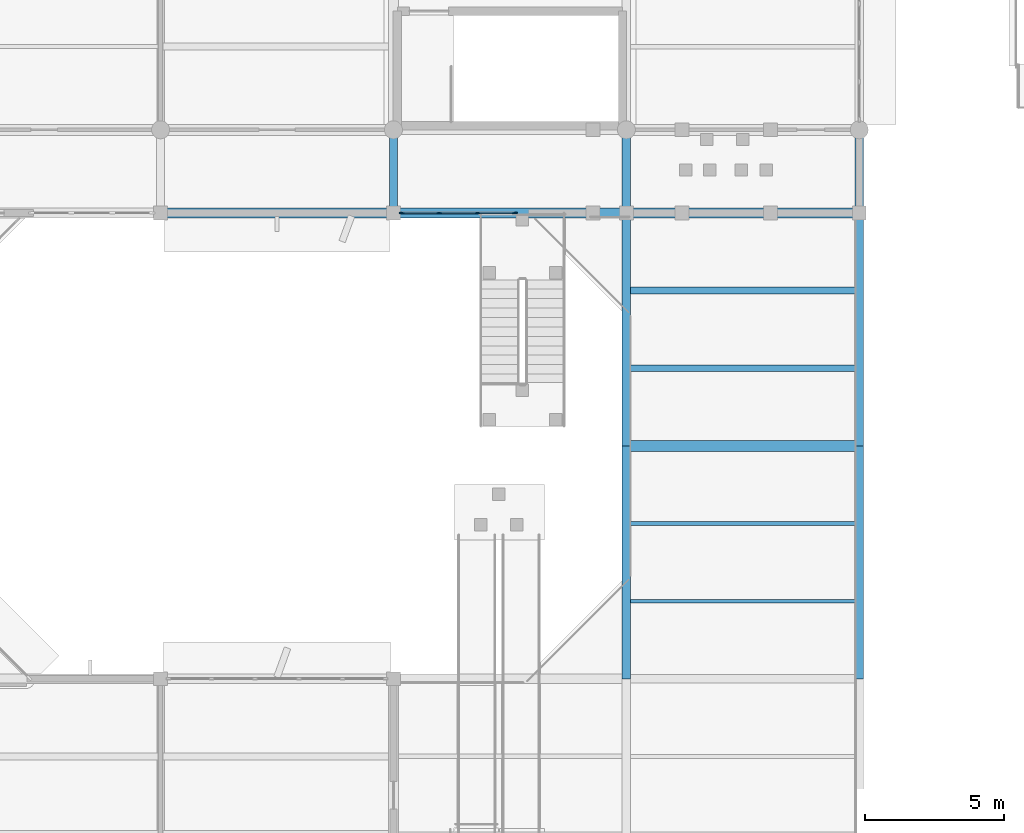
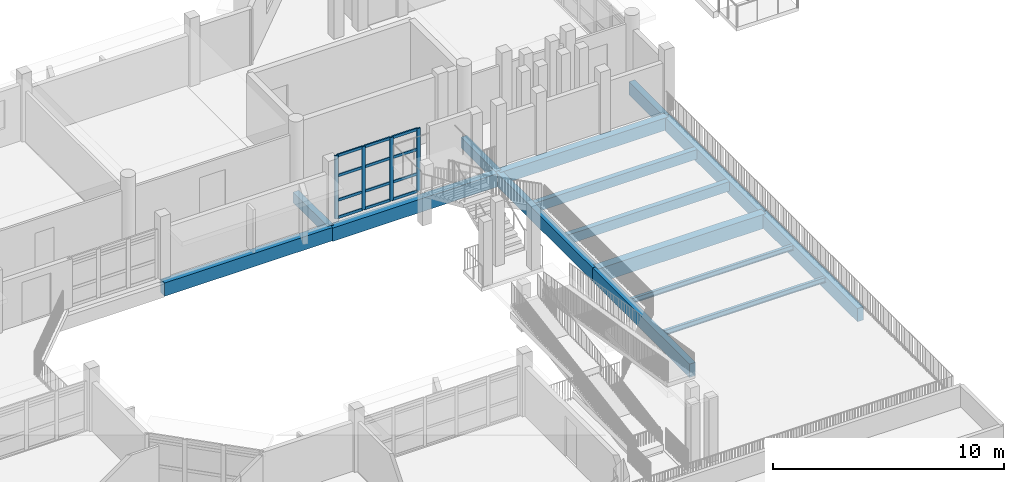
# One storey, part 20 of 92: 16 members, 15 beams, 1 element without a shape of its own.
"""IFC4 building model written with IfcOpenShell, lengths in metres."""

from ifc_helpers import new_model, si_unit, direction, frame, origin, origin_2d, place, context, subcontext, project, spatial, rectangle, i_section, extrude, material, material_profile, profile_set, type_object, element, aggregate, save


model = new_model("IFC4")

# Units and contexts
model_context = context("Model", 3, precision=1e-05, world=origin(), true_north=direction((0.0, 1.0)))
body_context = subcontext(model_context, "Body", "Model", "MODEL_VIEW")
ifc_project = project(units=[si_unit("LENGTHUNIT", "METRE"), si_unit("AREAUNIT", "SQUARE_METRE"), si_unit("VOLUMEUNIT", "CUBIC_METRE"), si_unit("PLANEANGLEUNIT", "RADIAN"), si_unit("MASSUNIT", "GRAM", prefix="KILO")], contexts=[model_context])

# Site, building, storey
site_placement = place(None, origin())
site = spatial("IfcSite", under=ifc_project, at=site_placement, CompositionType="ELEMENT")
building_placement = place(site_placement, origin())
building = spatial("IfcBuilding", under=site, at=building_placement, Name="Vanh Quang Courtyard School", CompositionType="ELEMENT")
storey_placement = place(building_placement, frame((0.0, 0.0, 7.800048828125)))
storey = spatial("IfcBuildingStorey", under=building, at=storey_placement, Name="L02", CompositionType="ELEMENT", Elevation=7.800048828125)

# Beams
ifc_material_1 = material(Name="Concrete C35/45", Category="concrete")
ifc_material_profile_1 = material_profile(ifc_material_1, rectangle(XDim=0.300048828125, YDim=0.550048828125, at=origin_2d()), Name="RC-BM 300x550")
ifc_profile_set_1 = profile_set([ifc_material_profile_1], Name="Concrete C35/45")
beam_type_1 = type_object("IfcBeamType", Name="BM-RC-300x550", PredefinedType="BEAM", material=ifc_profile_set_1)
for number, where, z_axis, x_axis, name in (
    (1, (102.60009765625, 29.39990234375, -0.554931640625), (0.0, 1.0, 0.0), (-1.0, 0.0, 0.0), "Beam B-07 (L02)"),
    (2, (111.0, 29.39990234375, -0.594970703125), (0.0, 1.0, 0.0), (-1.0, 0.0, 0.0), "Beam B-07 (L02)"),
):
    element("IfcBeam", number, at=place(storey_placement, frame(where, z_axis=z_axis, x_axis=x_axis)), inside=storey, type_object=beam_type_1, Name=name, PredefinedType="BEAM", context=body_context, shape_type="SweptSolid", body=[
        extrude(rectangle(XDim=0.300048828125, YDim=0.550048828125, at=origin_2d()), origin(), (0.0, 0.0, 1.0), 3.0),
    ])
ifc_material_profile_2 = material_profile(ifc_material_1, rectangle(XDim=0.35009765625, YDim=0.64990234375, at=origin_2d()), Name="RC-BM 350x650")
ifc_profile_set_2 = profile_set([ifc_material_profile_2], Name="Concrete C35/45")
beam_type_2 = type_object("IfcBeamType", Name="BM-RC-350x650", PredefinedType="BEAM", material=ifc_profile_set_2)
beam_1_placement = place(storey_placement, frame((111.0, 29.39990234375, -0.64501953125), z_axis=(1.0, 0.0, 0.0), x_axis=(0.0, 1.0, 0.0)))
element("IfcBeam", 3, at=beam_1_placement, inside=storey, type_object=beam_type_2, Name="Beam B-05 (L02)", PredefinedType="BEAM", context=body_context, shape_type="SweptSolid", body=[
    extrude(rectangle(XDim=0.35009765625, YDim=0.64990234375, at=origin_2d()), origin(), (0.0, 0.0, 1.0), 8.39990234375),
])
ifc_material_profile_3 = material_profile(ifc_material_1, rectangle(XDim=0.35009765625, YDim=0.699951171875, at=origin_2d()), Name="RC-BM 350x700")
ifc_profile_set_3 = profile_set([ifc_material_profile_3], Name="Concrete C35/45")
beam_type_3 = type_object("IfcBeamType", Name="BM-RC-350x700", PredefinedType="BEAM", material=ifc_profile_set_3)
beam_2_placement = place(storey_placement, frame((94.199951171875, 29.39990234375, -0.630126953125), z_axis=(1.0, 0.0, 0.0), x_axis=(0.0, 1.0, 0.0)))
element("IfcBeam", 4, at=beam_2_placement, inside=storey, type_object=beam_type_3, Name="Beam B-04 (L02)", PredefinedType="BEAM", context=body_context, shape_type="SweptSolid", body=[
    extrude(rectangle(XDim=0.35009765625, YDim=0.699951171875, at=origin_2d()), origin(), (0.0, 0.0, 1.0), 8.400146484375),
])
beam_3_placement = place(storey_placement, frame((102.60009765625, 29.39990234375, -0.670166015625), z_axis=(1.0, 0.0, 0.0), x_axis=(0.0, 1.0, 0.0)))
element("IfcBeam", 5, at=beam_3_placement, inside=storey, type_object=beam_type_3, Name="Beam B-04 (L02)", PredefinedType="BEAM", context=body_context, shape_type="SweptSolid", body=[
    extrude(rectangle(XDim=0.35009765625, YDim=0.699951171875, at=origin_2d()), origin(), (0.0, 0.0, 1.0), 8.39990234375),
])
ifc_material_profile_4 = material_profile(ifc_material_1, rectangle(XDim=0.39990234375, YDim=0.75, at=origin_2d()), Name="RC-BM 400x750")
ifc_profile_set_4 = profile_set([ifc_material_profile_4], Name="Concrete C35/45")
beam_type_4 = type_object("IfcBeamType", Name="BM-RC-400x750", PredefinedType="BEAM", material=ifc_profile_set_4)
beam_4_placement = place(storey_placement, frame((111.0, 21.0, -0.695068359375), z_axis=(1.0, 0.0, 0.0), x_axis=(0.0, 1.0, 0.0)))
element("IfcBeam", 6, at=beam_4_placement, inside=storey, type_object=beam_type_4, Name="Beam B-03 (L02)", PredefinedType="BEAM", context=body_context, shape_type="SweptSolid", body=[
    extrude(rectangle(XDim=0.39990234375, YDim=0.75, at=origin_2d()), origin(), (0.0, 0.0, 1.0), 8.39990234375),
])
ifc_material_profile_5 = material_profile(ifc_material_1, rectangle(XDim=0.300048828125, YDim=0.699951171875, at=origin_2d()), Name="RC-SP 300x700")
ifc_profile_set_5 = profile_set([ifc_material_profile_5], Name="Concrete C35/45")
beam_type_5 = type_object("IfcBeamType", Name="BM-SP-300x700", PredefinedType="SPANDREL", material=ifc_profile_set_5)
for number, where, z_axis, x_axis, name in (
    (7, (111.0, 12.60009765625, -0.670166015625), (0.0, 1.0, 0.0), (-1.0, 0.0, 0.0), "Beam BS-01 (L02)"),
    (8, (111.0, 21.0, -0.670166015625), (0.0, 1.0, 0.0), (-1.0, 0.0, 0.0), "Beam BS-01 (L02)"),
    (9, (119.39990234375, 12.60009765625, -0.670166015625), (0.0, 1.0, 0.0), (-1.0, 0.0, 0.0), "Beam BS-01 (L02)"),
    (10, (119.39990234375, 21.0, -0.670166015625), (0.0, 1.0, 0.0), (-1.0, 0.0, 0.0), "Beam BS-01 (L02)"),
):
    element("IfcBeam", number, at=place(storey_placement, frame(where, z_axis=z_axis, x_axis=x_axis)), inside=storey, type_object=beam_type_5, Name=name, PredefinedType="SPANDREL", context=body_context, shape_type="SweptSolid", body=[
        extrude(rectangle(XDim=0.300048828125, YDim=0.699951171875, at=origin_2d()), origin(), (0.0, 0.0, 1.0), 8.39990234375),
    ])
beam_5_placement = place(storey_placement, frame((119.39990234375, 29.39990234375, -0.670166015625), z_axis=(0.0, 1.0, 0.0), x_axis=(-1.0, 0.0, 0.0)))
element("IfcBeam", 11, at=beam_5_placement, inside=storey, type_object=beam_type_5, Name="Beam BS-01 (L02)", PredefinedType="SPANDREL", context=body_context, shape_type="SweptSolid", body=[
    extrude(rectangle(XDim=0.300048828125, YDim=0.699951171875, at=origin_2d()), origin(), (0.0, 0.0, 1.0), 3.0),
])

# Curtain wall, members
ifc_material_2 = material(Name="Thermally broken aluminium unitised curtain wall", Category="aluminium")
curtain_wall_type = type_object("IfcCurtainWallType", Name="CW-SYS-14", PredefinedType="NOTDEFINED", material=ifc_material_2)
curtain_wall_placement = place(storey_placement, origin())
curtain_wall = element("IfcCurtainWall", 12, at=curtain_wall_placement, inside=storey, type_object=curtain_wall_type, Name="Curtain Wall CW-14 (L02)", PredefinedType="NOTDEFINED")
ifc_material_3 = material(Name="Anodised aluminium 6063-T6", Category="aluminium")
ifc_material_profile_6 = material_profile(ifc_material_3, rectangle(XDim=0.070068359375, YDim=0.179931640625, at=origin_2d()), Name="ALU-MUL 70x180")
ifc_profile_set_6 = profile_set([ifc_material_profile_6], Name="Anodised aluminium 6063-T6")
member_type_1 = type_object("IfcMemberType", Name="CW-MUL-70x180", PredefinedType="MULLION", material=ifc_profile_set_6)
member_1_placement = place(storey_placement, frame((106.98193359375, 29.39990234375, 0.0), z_axis=(0.0, 0.0, 1.0), x_axis=(0.0, -1.0, 0.0)))
member_1 = element("IfcMember", 13, at=member_1_placement, type_object=member_type_1, Name="CW-14 mullion 1", PredefinedType="MULLION", context=body_context, shape_type="SweptSolid", body=[
    extrude(rectangle(XDim=0.070068359375, YDim=0.179931640625, at=origin_2d()), origin(), (0.0, 0.0, 1.0), 3.33984375),
])
member_2_placement = place(storey_placement, frame((105.630615234375, 29.39990234375, 0.0), z_axis=(0.0, 0.0, 1.0), x_axis=(0.0, -1.0, 0.0)))
member_2 = element("IfcMember", 14, at=member_2_placement, type_object=member_type_1, Name="CW-14 mullion 2", PredefinedType="MULLION", context=body_context, shape_type="SweptSolid", body=[
    extrude(rectangle(XDim=0.070068359375, YDim=0.179931640625, at=origin_2d()), origin(), (0.0, 0.0, 1.0), 3.33984375),
])
member_3_placement = place(storey_placement, frame((104.244384765625, 29.39990234375, 0.0), z_axis=(0.0, 0.0, 1.0), x_axis=(0.0, -1.0, 0.0)))
member_3 = element("IfcMember", 15, at=member_3_placement, type_object=member_type_1, Name="CW-14 mullion 3", PredefinedType="MULLION", context=body_context, shape_type="SweptSolid", body=[
    extrude(rectangle(XDim=0.070068359375, YDim=0.179931640625, at=origin_2d()), origin(), (0.0, 0.0, 1.0), 3.33984375),
])
member_4_placement = place(storey_placement, frame((102.89306640625, 29.39990234375, 0.0), z_axis=(0.0, 0.0, 1.0), x_axis=(0.0, -1.0, 0.0)))
member_4 = element("IfcMember", 16, at=member_4_placement, type_object=member_type_1, Name="CW-14 mullion 4", PredefinedType="MULLION", context=body_context, shape_type="SweptSolid", body=[
    extrude(rectangle(XDim=0.070068359375, YDim=0.179931640625, at=origin_2d()), origin(), (0.0, 0.0, 1.0), 3.33984375),
])
ifc_material_profile_7 = material_profile(ifc_material_3, rectangle(XDim=0.070068359375, YDim=0.139892578125, at=origin_2d()), Name="ALU-TRN 70x140")
ifc_profile_set_7 = profile_set([ifc_material_profile_7], Name="Anodised aluminium 6063-T6")
member_type_2 = type_object("IfcMemberType", Name="CW-TRN-70x140", PredefinedType="USERDEFINED", material=ifc_profile_set_7)
member_5_placement = place(storey_placement, frame((106.947021484375, 29.39990234375, 0.034912109375), z_axis=(-1.0, 0.0, 0.0), x_axis=(0.0, -1.0, 0.0)))
member_5 = element("IfcMember", 17, at=member_5_placement, type_object=member_type_2, Name="CW-14 transom 1.1", ObjectType="TRANSOM", PredefinedType="USERDEFINED", context=body_context, shape_type="SweptSolid", body=[
    extrude(rectangle(XDim=0.070068359375, YDim=0.139892578125, at=origin_2d()), origin(), (0.0, 0.0, 1.0), 1.28125),
])
member_6_placement = place(storey_placement, frame((106.947021484375, 29.39990234375, 0.949951171875), z_axis=(-1.0, 0.0, 0.0), x_axis=(0.0, -1.0, 0.0)))
member_6 = element("IfcMember", 18, at=member_6_placement, type_object=member_type_2, Name="CW-14 transom 1.2", ObjectType="TRANSOM", PredefinedType="USERDEFINED", context=body_context, shape_type="SweptSolid", body=[
    extrude(rectangle(XDim=0.070068359375, YDim=0.139892578125, at=origin_2d()), origin(), (0.0, 0.0, 1.0), 1.28125),
])
member_7_placement = place(storey_placement, frame((106.947021484375, 29.39990234375, 2.25), z_axis=(-1.0, 0.0, 0.0), x_axis=(0.0, -1.0, 0.0)))
member_7 = element("IfcMember", 19, at=member_7_placement, type_object=member_type_2, Name="CW-14 transom 1.3", ObjectType="TRANSOM", PredefinedType="USERDEFINED", context=body_context, shape_type="SweptSolid", body=[
    extrude(rectangle(XDim=0.070068359375, YDim=0.139892578125, at=origin_2d()), origin(), (0.0, 0.0, 1.0), 1.28125),
])
member_8_placement = place(storey_placement, frame((106.947021484375, 29.39990234375, 3.304931640625), z_axis=(-1.0, 0.0, 0.0), x_axis=(0.0, -1.0, 0.0)))
member_8 = element("IfcMember", 20, at=member_8_placement, type_object=member_type_2, Name="CW-14 transom 1.4", ObjectType="TRANSOM", PredefinedType="USERDEFINED", context=body_context, shape_type="SweptSolid", body=[
    extrude(rectangle(XDim=0.070068359375, YDim=0.139892578125, at=origin_2d()), origin(), (0.0, 0.0, 1.0), 1.28125),
])
member_9_placement = place(storey_placement, frame((105.595703125, 29.39990234375, 0.034912109375), z_axis=(-1.0, 0.0, 0.0), x_axis=(0.0, -1.0, 0.0)))
member_9 = element("IfcMember", 21, at=member_9_placement, type_object=member_type_2, Name="CW-14 transom 2.1", ObjectType="TRANSOM", PredefinedType="USERDEFINED", context=body_context, shape_type="SweptSolid", body=[
    extrude(rectangle(XDim=0.070068359375, YDim=0.139892578125, at=origin_2d()), origin(), (0.0, 0.0, 1.0), 1.31640625),
])
member_10_placement = place(storey_placement, frame((105.595703125, 29.39990234375, 0.949951171875), z_axis=(-1.0, 0.0, 0.0), x_axis=(0.0, -1.0, 0.0)))
member_10 = element("IfcMember", 22, at=member_10_placement, type_object=member_type_2, Name="CW-14 transom 2.2", ObjectType="TRANSOM", PredefinedType="USERDEFINED", context=body_context, shape_type="SweptSolid", body=[
    extrude(rectangle(XDim=0.070068359375, YDim=0.139892578125, at=origin_2d()), origin(), (0.0, 0.0, 1.0), 1.31640625),
])
member_11_placement = place(storey_placement, frame((105.595703125, 29.39990234375, 2.25), z_axis=(-1.0, 0.0, 0.0), x_axis=(0.0, -1.0, 0.0)))
member_11 = element("IfcMember", 23, at=member_11_placement, type_object=member_type_2, Name="CW-14 transom 2.3", ObjectType="TRANSOM", PredefinedType="USERDEFINED", context=body_context, shape_type="SweptSolid", body=[
    extrude(rectangle(XDim=0.070068359375, YDim=0.139892578125, at=origin_2d()), origin(), (0.0, 0.0, 1.0), 1.31640625),
])
member_12_placement = place(storey_placement, frame((105.595703125, 29.39990234375, 3.304931640625), z_axis=(-1.0, 0.0, 0.0), x_axis=(0.0, -1.0, 0.0)))
member_12 = element("IfcMember", 24, at=member_12_placement, type_object=member_type_2, Name="CW-14 transom 2.4", ObjectType="TRANSOM", PredefinedType="USERDEFINED", context=body_context, shape_type="SweptSolid", body=[
    extrude(rectangle(XDim=0.070068359375, YDim=0.139892578125, at=origin_2d()), origin(), (0.0, 0.0, 1.0), 1.31640625),
])
member_13_placement = place(storey_placement, frame((104.209228515625, 29.39990234375, 0.034912109375), z_axis=(-1.0, 0.0, 0.0), x_axis=(0.0, -1.0, 0.0)))
member_13 = element("IfcMember", 25, at=member_13_placement, type_object=member_type_2, Name="CW-14 transom 3.1", ObjectType="TRANSOM", PredefinedType="USERDEFINED", context=body_context, shape_type="SweptSolid", body=[
    extrude(rectangle(XDim=0.070068359375, YDim=0.139892578125, at=origin_2d()), origin(), (0.0, 0.0, 1.0), 1.28125),
])
member_14_placement = place(storey_placement, frame((104.209228515625, 29.39990234375, 0.949951171875), z_axis=(-1.0, 0.0, 0.0), x_axis=(0.0, -1.0, 0.0)))
member_14 = element("IfcMember", 26, at=member_14_placement, type_object=member_type_2, Name="CW-14 transom 3.2", ObjectType="TRANSOM", PredefinedType="USERDEFINED", context=body_context, shape_type="SweptSolid", body=[
    extrude(rectangle(XDim=0.070068359375, YDim=0.139892578125, at=origin_2d()), origin(), (0.0, 0.0, 1.0), 1.28125),
])
member_15_placement = place(storey_placement, frame((104.209228515625, 29.39990234375, 2.25), z_axis=(-1.0, 0.0, 0.0), x_axis=(0.0, -1.0, 0.0)))
member_15 = element("IfcMember", 27, at=member_15_placement, type_object=member_type_2, Name="CW-14 transom 3.3", ObjectType="TRANSOM", PredefinedType="USERDEFINED", context=body_context, shape_type="SweptSolid", body=[
    extrude(rectangle(XDim=0.070068359375, YDim=0.139892578125, at=origin_2d()), origin(), (0.0, 0.0, 1.0), 1.28125),
])
member_16_placement = place(storey_placement, frame((104.209228515625, 29.39990234375, 3.304931640625), z_axis=(-1.0, 0.0, 0.0), x_axis=(0.0, -1.0, 0.0)))
member_16 = element("IfcMember", 28, at=member_16_placement, type_object=member_type_2, Name="CW-14 transom 3.4", ObjectType="TRANSOM", PredefinedType="USERDEFINED", context=body_context, shape_type="SweptSolid", body=[
    extrude(rectangle(XDim=0.070068359375, YDim=0.139892578125, at=origin_2d()), origin(), (0.0, 0.0, 1.0), 1.28125),
])
aggregate(curtain_wall, [member_1, member_2, member_3, member_4, member_5, member_6, member_7, member_8, member_9, member_10, member_11, member_12, member_13, member_14, member_15, member_16])

# Beams
ifc_material_4 = material(Name="Concrete C30/37", Category="concrete")
ifc_material_profile_8 = material_profile(ifc_material_4, rectangle(XDim=0.25, YDim=0.5, at=origin_2d()), Name="RC-JST 250x500")
ifc_profile_set_8 = profile_set([ifc_material_profile_8], Name="Concrete C30/37")
beam_type_6 = type_object("IfcBeamType", Name="JST-RC-250x500", PredefinedType="JOIST", material=ifc_profile_set_8)
for number, where, z_axis, x_axis, name in (
    (29, (111.14990234375, 23.800048828125, -0.570068359375), (1.0, 0.0, 0.0), (0.0, 1.0, 0.0), "Beam BJ-01 (L02)"),
    (30, (111.14990234375, 26.60009765625, -0.570068359375), (1.0, 0.0, 0.0), (0.0, 1.0, 0.0), "Beam BJ-01 (L02)"),
):
    element("IfcBeam", number, at=place(storey_placement, frame(where, z_axis=z_axis, x_axis=x_axis)), inside=storey, type_object=beam_type_6, Name=name, PredefinedType="JOIST", context=body_context, shape_type="SweptSolid", body=[
        extrude(rectangle(XDim=0.25, YDim=0.5, at=origin_2d()), origin(), (0.0, 0.0, 1.0), 8.10009765625),
    ])
ifc_material_5 = material(Name="Structural steel EN 10025-2 S355J2", Category="steel")
ifc_material_profile_9 = material_profile(ifc_material_5, i_section(OverallWidth=0.135009765625, OverallDepth=0.27001953125, WebThickness=0.006591796875, FlangeThickness=0.01025390625, FilletRadius=0.014892578125, at=origin_2d()), Name="IPE 270")
ifc_profile_set_9 = profile_set([ifc_material_profile_9], Name="Structural steel EN 10025-2 S355J2")
beam_type_7 = type_object("IfcBeamType", Name="JST-STL-IPE270", PredefinedType="JOIST", material=ifc_profile_set_9)
for number, where, z_axis, x_axis, name in (
    (31, (111.14990234375, 15.39990234375, -0.455078125), (1.0, 0.0, 0.0), (0.0, 1.0, 0.0), "Beam SJ-03 (L02)"),
    (32, (111.14990234375, 18.199951171875, -0.455078125), (1.0, 0.0, 0.0), (0.0, 1.0, 0.0), "Beam SJ-03 (L02)"),
):
    element("IfcBeam", number, at=place(storey_placement, frame(where, z_axis=z_axis, x_axis=x_axis)), inside=storey, type_object=beam_type_7, Name=name, PredefinedType="JOIST", context=body_context, shape_type="SweptSolid", body=[
        extrude(i_section(OverallWidth=0.135009765625, OverallDepth=0.27001953125, WebThickness=0.006591796875, FlangeThickness=0.01025390625, FilletRadius=0.014892578125, at=origin_2d()), origin(), (0.0, 0.0, 1.0), 8.10009765625),
    ])

save(model, "model.ifc")
